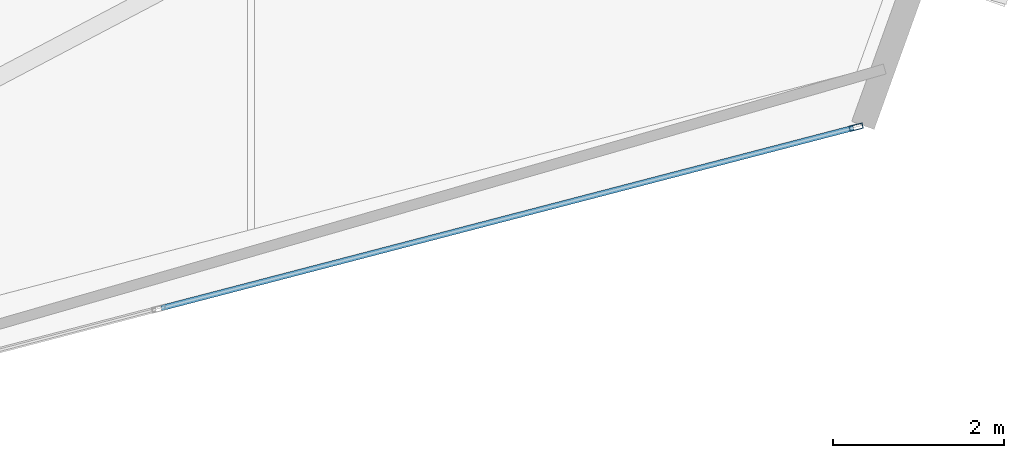
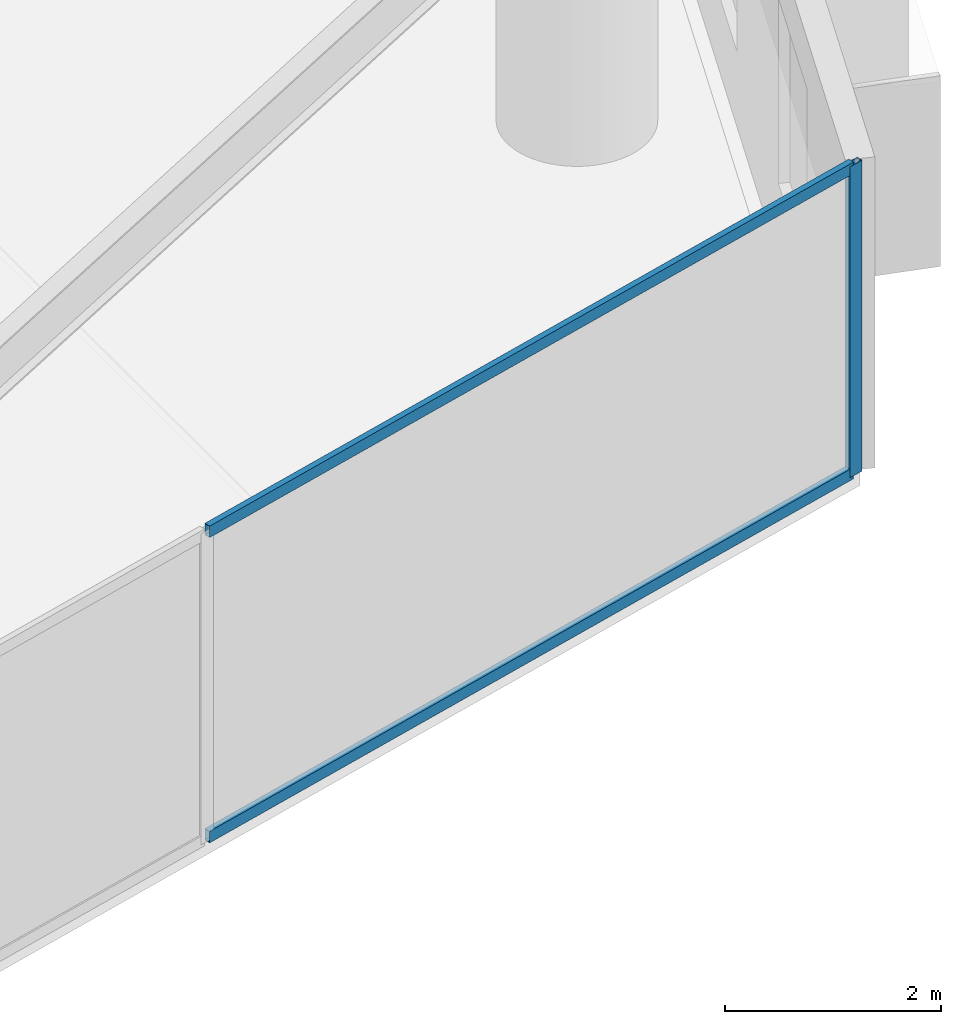
# One storey, part 12 of 21: 3 members, 1 element without a shape of its own.
"""IFC4 building model written with IfcOpenShell, lengths in metres."""

from ifc_helpers import new_model, si_unit, direction, frame, origin, origin_2d, place, context, subcontext, project, spatial, hollow_rectangle, extrude, material, layer, layer_set, material_profile, profile_set, type_object, element, aggregate, save


model = new_model("IFC4")

# Units and contexts
model_context = context("Model", 3, precision=1e-05, world=origin(), true_north=direction((0.0, 1.0)))
body_context = subcontext(model_context, "Body", "Model", "MODEL_VIEW")
ifc_project = project(units=[si_unit("LENGTHUNIT", "METRE"), si_unit("AREAUNIT", "SQUARE_METRE"), si_unit("VOLUMEUNIT", "CUBIC_METRE"), si_unit("PLANEANGLEUNIT", "RADIAN"), si_unit("MASSUNIT", "GRAM", prefix="KILO")], contexts=[model_context])

# Site, building, storey
site_placement = place(None, origin())
site = spatial("IfcSite", under=ifc_project, at=site_placement, CompositionType="ELEMENT")
building_placement = place(site_placement, origin())
building = spatial("IfcBuilding", under=site, at=building_placement, Name="Qianvela Tower", CompositionType="ELEMENT")
storey_placement = place(building_placement, frame((0.0, 0.0, 112.60009765625)))
storey = spatial("IfcBuildingStorey", under=building, at=storey_placement, Name="L28", CompositionType="ELEMENT", Elevation=112.60009765625)

# Curtain wall, members
ifc_material_1 = material(Name="Anodised Architectural Aluminium and Low-E Glass", Category="aluminium")
ifc_layer = layer(ifc_material_1, 0.169921875)
ifc_layer_set = layer_set([ifc_layer], Name="Anodised Architectural Aluminium and Low-E Glass")
curtain_wall_type = type_object("IfcCurtainWallType", Name="CW-COLIV-Z34", PredefinedType="USERDEFINED", material=ifc_layer_set)
curtain_wall_placement = place(storey_placement, origin())
curtain_wall = element("IfcCurtainWall", 1, at=curtain_wall_placement, inside=storey, type_object=curtain_wall_type, Name="L28 CW-COLIV-Z34 Curtain Wall 06B", ObjectType="CURTAIN_WALL_SYSTEM", PredefinedType="USERDEFINED")
ifc_material_2 = material(Name="Anodised Architectural Aluminium 6063-T6", Category="aluminium")
ifc_material_profile_1 = material_profile(ifc_material_2, hollow_rectangle(XDim=0.06494140625, YDim=0.159912109375, WallThickness=0.0048828125, at=origin_2d()), Name="ALU-MULL-65x160")
ifc_profile_set_1 = profile_set([ifc_material_profile_1], Name="Anodised Architectural Aluminium 6063-T6")
member_type_1 = type_object("IfcMemberType", Name="CW-COLIV-Z34-MULL", PredefinedType="MULLION", material=ifc_profile_set_1)
member_1_placement = place(storey_placement, frame((56.57666015625, 17.757080078125, 0.0), z_axis=(0.0, 0.0, 1.0), x_axis=(-0.25195021381, 0.96774019745, 0.0)))
member_1 = element("IfcMember", 2, at=member_1_placement, type_object=member_type_1, Name="CW-4 mullion 4", PredefinedType="MULLION", context=body_context, shape_type="SweptSolid", body=[
    extrude(hollow_rectangle(XDim=0.06494140625, YDim=0.159912109375, WallThickness=0.0048828125, at=origin_2d()), origin(), (0.0, 0.0, 1.0), 3.52001953125),
])
ifc_material_3 = material(Name="Anodised Architectural Aluminium 6063-T6", Category="aluminium")
ifc_material_profile_2 = material_profile(ifc_material_3, hollow_rectangle(XDim=0.06494140625, YDim=0.1298828125, WallThickness=0.00439453125, at=origin_2d()), Name="ALU-TRAN-65x130")
ifc_profile_set_2 = profile_set([ifc_material_profile_2], Name="Anodised Architectural Aluminium 6063-T6")
member_type_2 = type_object("IfcMemberType", Name="CW-COLIV-Z34-TRAN", PredefinedType="USERDEFINED", material=ifc_profile_set_2)
member_2_placement = place(storey_placement, frame((48.431640625, 15.636474609375, 0.032470703125), z_axis=(0.967741468659, 0.251945331051, 0.0), x_axis=(-0.251945331051, 0.967741468659, 0.0)))
member_2 = element("IfcMember", 3, at=member_2_placement, type_object=member_type_2, Name="CW-4 transom 3.1", ObjectType="TRANSOM", PredefinedType="USERDEFINED", context=body_context, shape_type="SweptSolid", body=[
    extrude(hollow_rectangle(XDim=0.06494140625, YDim=0.1298828125, WallThickness=0.00439453125, at=origin_2d()), origin(), (0.0, 0.0, 1.0), 8.384033203125),
])
member_3_placement = place(storey_placement, frame((48.431640625, 15.636474609375, 3.4873046875), z_axis=(0.967741468659, 0.251945331051, 0.0), x_axis=(-0.251945331051, 0.967741468659, 0.0)))
member_3 = element("IfcMember", 4, at=member_3_placement, type_object=member_type_2, Name="CW-4 transom 3.2", ObjectType="TRANSOM", PredefinedType="USERDEFINED", context=body_context, shape_type="SweptSolid", body=[
    extrude(hollow_rectangle(XDim=0.06494140625, YDim=0.1298828125, WallThickness=0.00439453125, at=origin_2d()), origin(), (0.0, 0.0, 1.0), 8.384033203125),
])
aggregate(curtain_wall, [member_1, member_2, member_3])

save(model, "model.ifc")
